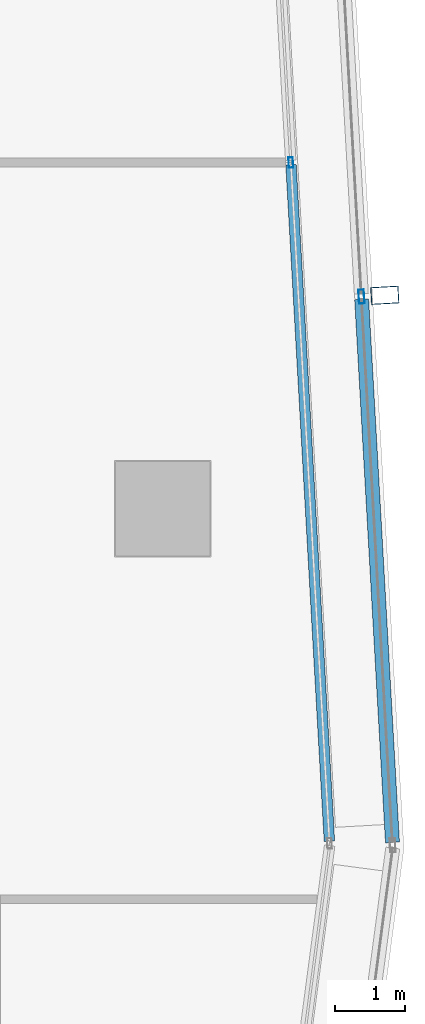
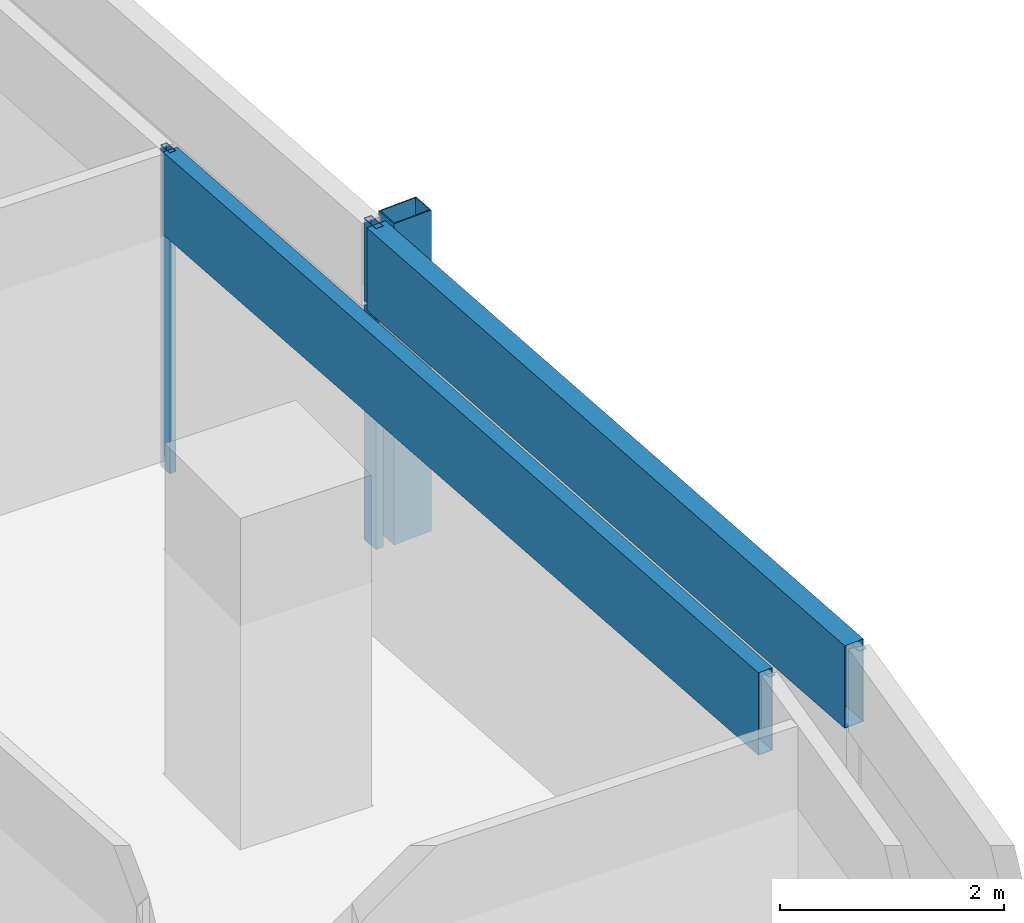
# One storey, part 14 of 39: 5 members, 2 elements without a shape of their own.
"""IFC4 building model written with IfcOpenShell, lengths in metres."""

from ifc_helpers import new_model, si_unit, direction, frame, origin, origin_2d, place, context, subcontext, project, spatial, hollow_rectangle, extrude, material, material_profile, profile_set, type_object, element, aggregate, save


model = new_model("IFC4")

# Units and contexts
model_context = context("Model", 3, precision=1e-05, world=origin(), true_north=direction((0.0, 1.0)))
body_context = subcontext(model_context, "Body", "Model", "MODEL_VIEW")
ifc_project = project(units=[si_unit("LENGTHUNIT", "METRE"), si_unit("AREAUNIT", "SQUARE_METRE"), si_unit("VOLUMEUNIT", "CUBIC_METRE"), si_unit("PLANEANGLEUNIT", "RADIAN"), si_unit("MASSUNIT", "GRAM", prefix="KILO")], contexts=[model_context])

# Site, building, storey
site_placement = place(None, origin())
site = spatial("IfcSite", under=ifc_project, at=site_placement, CompositionType="ELEMENT")
building_placement = place(site_placement, origin())
building = spatial("IfcBuilding", under=site, at=building_placement, Name="Rekha Terrace Tower", CompositionType="ELEMENT")
storey_placement = place(building_placement, frame((0.0, 0.0, 225.199951171875)))
storey = spatial("IfcBuildingStorey", under=building, at=storey_placement, Name="L57", CompositionType="ELEMENT", Elevation=225.199951171875)

# Curtain wall, member
ifc_material_1 = material(Name="Aluminium framing", Category="aluminium")
curtain_wall_type_1 = type_object("IfcCurtainWallType", Name="CW2 double skin outer glazing", PredefinedType="USERDEFINED", material=ifc_material_1)
curtain_wall_1_placement = place(storey_placement, origin())
curtain_wall_1 = element("IfcCurtainWall", 1, at=curtain_wall_1_placement, inside=storey, type_object=curtain_wall_type_1, Name="CW2 double skin outer glazing", ObjectType="DOUBLE SKIN OUTER GLAZING", PredefinedType="USERDEFINED")
ifc_material_2 = material(Name="Steel S355 with fluorocarbon finish", Category="steel")
ifc_material_profile_1 = material_profile(ifc_material_2, hollow_rectangle(XDim=0.25, YDim=0.39990234375, WallThickness=0.012451171875, at=origin_2d()), Name="RHS400x250x12.5")
ifc_profile_set_1 = profile_set([ifc_material_profile_1], Name="Steel S355 with fluorocarbon finish")
member_type_1 = type_object("IfcMemberType", Name="BL1 facade blade RHS 400 x 250", PredefinedType="USERDEFINED", material=ifc_profile_set_1)
member_1_placement = place(storey_placement, frame((61.975830078125, 36.65576171875, 0.0), z_axis=(0.0, 0.0, 1.0), x_axis=(-0.056673619809, 0.998392758797, 0.0)))
member_1 = element("IfcMember", 2, at=member_1_placement, type_object=member_type_1, Name="Facade blade", ObjectType="FACADE BLADE", PredefinedType="USERDEFINED", context=body_context, shape_type="SweptSolid", body=[
    extrude(hollow_rectangle(XDim=0.25, YDim=0.39990234375, WallThickness=0.012451171875, at=origin_2d()), origin(), (0.0, 0.0, 1.0), 3.5),
])

# Curtain wall, members
curtain_wall_type_2 = type_object("IfcCurtainWallType", Name="CW1 double skin inner glazing", PredefinedType="USERDEFINED", material=ifc_material_1)
curtain_wall_2_placement = place(storey_placement, origin())
curtain_wall_2 = element("IfcCurtainWall", 3, at=curtain_wall_2_placement, inside=storey, type_object=curtain_wall_type_2, Name="CW1 double skin inner glazing", ObjectType="DOUBLE SKIN INNER GLAZING", PredefinedType="USERDEFINED")
ifc_material_3 = material(Name="Aluminium mullion section", Category="aluminium")
ifc_material_profile_2 = material_profile(ifc_material_3, hollow_rectangle(XDim=0.06494140625, YDim=0.14990234375, WallThickness=0.00390625, at=origin_2d()), Name="AL RHS 65x150")
ifc_profile_set_2 = profile_set([ifc_material_profile_2], Name="Aluminium mullion section")
member_type_2 = type_object("IfcMemberType", Name="CW1 mullion RHS 65 x 150", PredefinedType="MULLION", material=ifc_profile_set_2)
member_2_placement = place(storey_placement, frame((60.631103515625, 38.555908203125, 0.0), z_axis=(0.0, 0.0, 1.0), x_axis=(-0.998392782919, -0.05667319486, 0.0)))
member_2 = element("IfcMember", 4, at=member_2_placement, type_object=member_type_2, Name="CW1 mullion 2", PredefinedType="MULLION", context=body_context, shape_type="SweptSolid", body=[
    extrude(hollow_rectangle(XDim=0.06494140625, YDim=0.14990234375, WallThickness=0.00390625, at=origin_2d()), origin(), (0.0, 0.0, 1.0), 3.5),
])
ifc_material_4 = material(Name="Insulated aluminium spandrel box", Category="aluminium")
ifc_material_profile_3 = material_profile(ifc_material_4, hollow_rectangle(XDim=0.14990234375, YDim=0.89990234375, WallThickness=0.0029296875, at=origin_2d()), Name="AL SPANDREL BOX 150x900")
ifc_profile_set_3 = profile_set([ifc_material_profile_3], Name="Insulated aluminium spandrel box")
member_type_3 = type_object("IfcMemberType", Name="CW1 spandrel transom 150 x 900", PredefinedType="USERDEFINED", material=ifc_profile_set_3)
member_3_placement = place(storey_placement, frame((61.182373046875, 28.8447265625, 3.050048828125), z_axis=(-0.056663932611, 0.998393308642, 0.0), x_axis=(-0.998393308642, -0.056663932611, 0.0)))
member_3 = element("IfcMember", 5, at=member_3_placement, type_object=member_type_3, Name="CW1 spandrel transom 1", ObjectType="TRANSOM", PredefinedType="USERDEFINED", context=body_context, shape_type="SweptSolid", body=[
    extrude(hollow_rectangle(XDim=0.14990234375, YDim=0.89990234375, WallThickness=0.0029296875, at=origin_2d()), origin(), (0.0, 0.0, 1.0), 9.6943359375),
])
aggregate(curtain_wall_2, [member_2, member_3])

# Member
ifc_material_profile_4 = material_profile(ifc_material_3, hollow_rectangle(XDim=0.080078125, YDim=0.199951171875, WallThickness=0.00390625, at=origin_2d()), Name="AL RHS 80x200")
ifc_profile_set_4 = profile_set([ifc_material_profile_4], Name="Aluminium mullion section")
member_type_4 = type_object("IfcMemberType", Name="CW2 mullion RHS 80 x 200", PredefinedType="MULLION", material=ifc_profile_set_4)
member_4_placement = place(storey_placement, frame((61.6416015625, 36.63671875, 0.0), z_axis=(0.0, 0.0, 1.0), x_axis=(-0.998392782919, -0.05667319486, 0.0)))
member_4 = element("IfcMember", 6, at=member_4_placement, type_object=member_type_4, Name="CW2 mullion 2", PredefinedType="MULLION", context=body_context, shape_type="SweptSolid", body=[
    extrude(hollow_rectangle(XDim=0.080078125, YDim=0.199951171875, WallThickness=0.00390625, at=origin_2d()), origin(), (0.0, 0.0, 1.0), 3.5),
])

ifc_material_profile_5 = material_profile(ifc_material_4, hollow_rectangle(XDim=0.199951171875, YDim=0.89990234375, WallThickness=0.0029296875, at=origin_2d()), Name="AL SPANDREL BOX 200x900")
ifc_profile_set_5 = profile_set([ifc_material_profile_5], Name="Insulated aluminium spandrel box")
member_type_5 = type_object("IfcMemberType", Name="CW2 spandrel transom 200 x 900", PredefinedType="USERDEFINED", material=ifc_profile_set_5)
member_5_placement = place(storey_placement, frame((62.0849609375, 28.825927734375, 3.050048828125), z_axis=(-0.05667908121, 0.998392448766, 0.0), x_axis=(-0.998392448766, -0.05667908121, 0.0)))
member_5 = element("IfcMember", 7, at=member_5_placement, type_object=member_type_5, Name="CW2 spandrel transom 1", ObjectType="TRANSOM", PredefinedType="USERDEFINED", context=body_context, shape_type="SweptSolid", body=[
    extrude(hollow_rectangle(XDim=0.199951171875, YDim=0.89990234375, WallThickness=0.0029296875, at=origin_2d()), origin(), (0.0, 0.0, 1.0), 7.783447265625),
])

aggregate(curtain_wall_1, [member_4, member_5, member_1])

save(model, "model.ifc")
